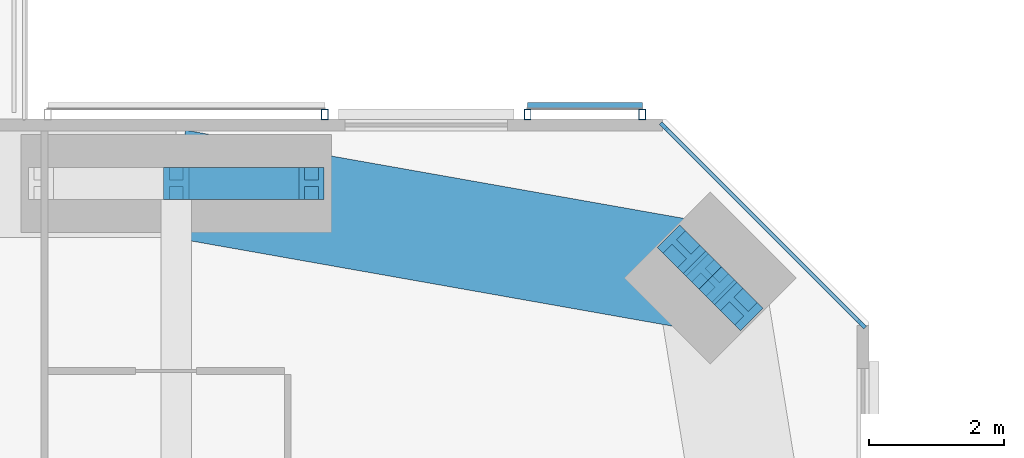
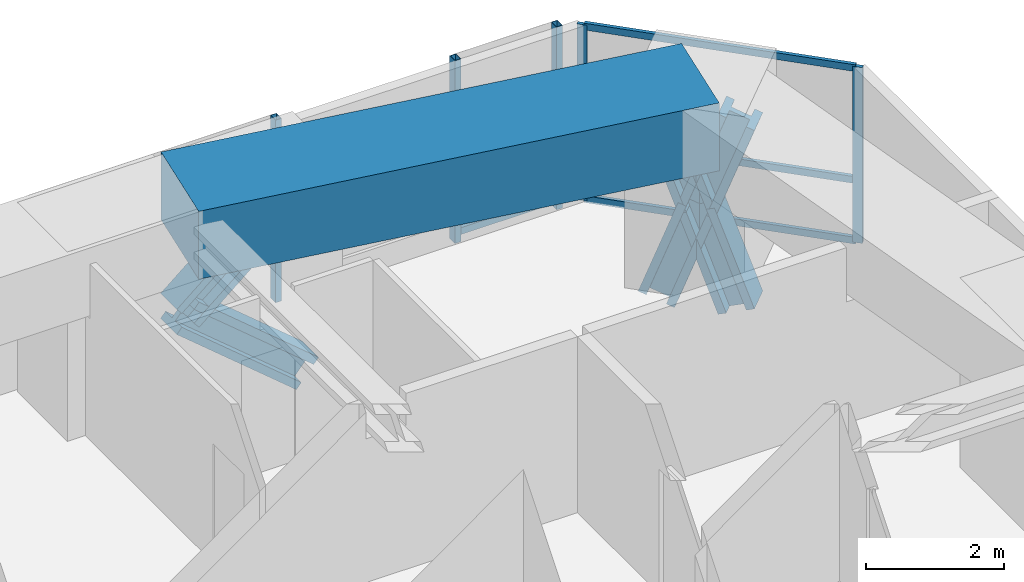
# One storey, part 13 of 22: 15 members, 1 beam, 3 elements without a shape of their own.
"""IFC4 building model written with IfcOpenShell, lengths in metres."""

import ifcopenshell
import ifcopenshell.guid

model = None  # the IFC model being written
_history = None  # IfcOwnerHistory: only IFC2X3 demands one
_inside = {}  # id of a spatial element -> (the spatial element, [elements in it])
_under = {}  # id of a project, library or spatial element -> (it, [spatial elements below it])
_declared = {}  # id of a project -> (the project, [libraries it declares])
_typed = {}  # id of a type object -> (the type object, [elements of that type])
_made_of = {}  # id of a material, layer set ... -> (it, [elements and type objects made of it])


def new_model(schema):
    """Start an empty IFC model of exactly this schema.

    Asked for "IFC4X3", IfcOpenShell would pick the latest addendum, in which some entities
    have other attributes; the version numbers below select the first issue.
    IFC2X3 requires an IfcOwnerHistory on every rooted entity: one is made here for all.
    """
    global model, _history
    if schema == "IFC4X3":
        model = ifcopenshell.file(schema_version=(4, 3, 0, 0))
    else:
        model = ifcopenshell.file(schema=schema)
    _inside.clear()
    _under.clear()
    _declared.clear()
    _typed.clear()
    _made_of.clear()
    _history = None
    if model.schema == "IFC2X3":
        org = make("IfcOrganization", Name="unknown")
        user = make(
            "IfcPersonAndOrganization",
            ThePerson=make("IfcPerson", FamilyName="unknown"),
            TheOrganization=org,
        )
        app = make(
            "IfcApplication",
            ApplicationDeveloper=org,
            Version="unknown",
            ApplicationFullName="unknown",
            ApplicationIdentifier="unknown",
        )
        _history = make(
            "IfcOwnerHistory",
            OwningUser=user,
            OwningApplication=app,
            ChangeAction="ADDED",
            CreationDate=0,
        )
    return model


def make(cls, **values):
    """One entity of the class cls with the attributes given. An attribute that is None is left unset."""
    return model.create_entity(
        cls, **{name: value for name, value in values.items() if value is not None}
    )


def rooted(cls, **values):
    """An entity with a GlobalId (a new one), such as an element, a storey or a relation."""
    return make(cls, GlobalId=ifcopenshell.guid.new(), OwnerHistory=_history, **values)


def si_unit(unit_type, name, prefix=None):
    """IfcSIUnit, for example si_unit("LENGTHUNIT", "METRE", prefix="MILLI")."""
    return make("IfcSIUnit", UnitType=unit_type, Prefix=prefix, Name=name)


def assignment(units):
    """IfcUnitAssignment: the units of a project."""
    return None if units is None else make("IfcUnitAssignment", Units=units)


def point(xyz):
    """IfcCartesianPoint."""
    return None if xyz is None else make("IfcCartesianPoint", Coordinates=xyz)


def direction(xyz):
    """IfcDirection."""
    return None if xyz is None else make("IfcDirection", DirectionRatios=xyz)


def frame(location, z_axis=None, x_axis=None):
    """IfcAxis2Placement3D, a coordinate frame: its origin and axes. An axis left out is left unset."""
    return make(
        "IfcAxis2Placement3D",
        Location=point(location),
        Axis=direction(z_axis),
        RefDirection=direction(x_axis),
    )


def frame_2d(location, x_axis=None):
    """IfcAxis2Placement2D, a coordinate frame in the plane: its origin and x axis."""
    return make(
        "IfcAxis2Placement2D", Location=point(location), RefDirection=direction(x_axis)
    )


def origin():
    """The frame at (0, 0, 0) with its axes left unset."""
    return frame((0.0, 0.0, 0.0))


def origin_2d():
    """The frame at (0, 0) in the plane with its x axis left unset."""
    return frame_2d((0.0, 0.0))


def place(relative_to, where):
    """IfcLocalPlacement: puts the frame where relative to a parent placement (None: the world)."""
    return make(
        "IfcLocalPlacement", PlacementRelTo=relative_to, RelativePlacement=where
    )


def context(
    kind, dimensions, precision=None, world=None, true_north=None, identifier=None
):
    """IfcGeometricRepresentationContext, for example the 3D "Model" context."""
    return make(
        "IfcGeometricRepresentationContext",
        ContextIdentifier=identifier,
        ContextType=kind,
        CoordinateSpaceDimension=dimensions,
        Precision=precision,
        WorldCoordinateSystem=world,
        TrueNorth=true_north,
    )


def subcontext(parent, identifier, kind, view, scale=None):
    """IfcGeometricRepresentationSubContext, for example "Body" below "Model"."""
    return make(
        "IfcGeometricRepresentationSubContext",
        ContextIdentifier=identifier,
        ContextType=kind,
        ParentContext=parent,
        TargetScale=scale,
        TargetView=view,
    )


def project(units=None, contexts=None):
    """IfcProject with its units and contexts."""
    return rooted(
        "IfcProject",
        Name="project",
        RepresentationContexts=contexts,
        UnitsInContext=assignment(units),
    )


def spatial(cls, under=None, at=None, **own):
    """A site, building, storey or space (cls), placed at a placement, below another one or the project."""
    s = rooted(cls, ObjectPlacement=at, **own)
    if under is not None:
        _under.setdefault(under.id(), (under, []))[1].append(s)
    return s


def profile(cls, at=None, kind="AREA", **sizes):
    """A parametric profile (cls). Its sizes go by their IFC names, for example OverallWidth=200.0."""
    return make(cls, ProfileType=kind, Position=at, **sizes)


def rectangle(**sizes):
    """IfcRectangleProfileDef."""
    return profile("IfcRectangleProfileDef", **sizes)


def hollow_rectangle(**sizes):
    """IfcRectangleHollowProfileDef."""
    return profile("IfcRectangleHollowProfileDef", **sizes)


def i_section(**sizes):
    """IfcIShapeProfileDef."""
    return profile("IfcIShapeProfileDef", **sizes)


def extrude(swept, where, along, depth):
    """IfcExtrudedAreaSolid: the profile swept, set in the frame where, extruded along a direction by depth."""
    return make(
        "IfcExtrudedAreaSolid",
        SweptArea=swept,
        Position=where,
        ExtrudedDirection=direction(along),
        Depth=depth,
    )


def shape(context_of_items, identifier, shape_type, items):
    """IfcShapeRepresentation: the items that make up one representation, for example the "Body"."""
    return make(
        "IfcShapeRepresentation",
        ContextOfItems=context_of_items,
        RepresentationIdentifier=identifier,
        RepresentationType=shape_type,
        Items=items,
    )


def material(Name=None, Category=None):
    """IfcMaterial."""
    return make("IfcMaterial", Name=Name, Category=Category)


def material_profile(
    of_material, cross_section, Name=None, Category=None, Priority=None
):
    """IfcMaterialProfile: a cross section and its material."""
    return make(
        "IfcMaterialProfile",
        Name=Name,
        Material=of_material,
        Profile=cross_section,
        Priority=Priority,
        Category=Category,
    )


def profile_set(profiles, Name=None, composite=None):
    """IfcMaterialProfileSet."""
    return make(
        "IfcMaterialProfileSet",
        Name=Name,
        MaterialProfiles=profiles,
        CompositeProfile=composite,
    )


def made_of(thing, what):
    """Note that an element or type object is made of a material, layer set ...; save() writes the relation."""
    if what is not None:
        _made_of.setdefault(what.id(), (what, []))[1].append(thing)
    return thing


def type_object(cls, material=None, **own):
    """A type object (cls), such as IfcWallType, which elements share."""
    return made_of(rooted(cls, **own), material)


def element(
    cls,
    number,
    at=None,
    inside=None,
    cuts=None,
    type_object=None,
    material=None,
    context=None,
    identifier="Body",
    shape_type=None,
    held_by="IfcProductDefinitionShape",
    body=None,
    shapes=None,
    **own,
):
    """One element of the class cls, such as IfcWall. Its Tag is "e" and its number.

    at: its placement. inside: the storey or other place that contains it. cuts: it is an
    opening in that element (IfcRelVoidsElement). A single representation is given by context,
    identifier, shape_type and body (its items); several are given by shapes. held_by: the class
    of the entity that holds the representations. save() writes the other relations.
    """
    e = rooted(cls, Tag="e%d" % number, ObjectPlacement=at, **own)
    if body is not None:
        shapes = [shape(context, identifier, shape_type, body)]
    if shapes is not None:
        e.Representation = make(held_by, Representations=shapes)
    if inside is not None:
        _inside.setdefault(inside.id(), (inside, []))[1].append(e)
    if cuts is not None:
        rooted(
            "IfcRelVoidsElement", RelatingBuildingElement=cuts, RelatedOpeningElement=e
        )
    if type_object is not None:
        _typed.setdefault(type_object.id(), (type_object, []))[1].append(e)
    return made_of(e, material)


def aggregate(whole, parts):
    """IfcRelAggregates: a whole, such as a stair, and the parts it consists of."""
    return rooted("IfcRelAggregates", RelatingObject=whole, RelatedObjects=parts)


def save(model, path):
    """Write the relations noted so far, then the file.

    IfcRelAggregates (storeys below a building ...), IfcRelContainedInSpatialStructure (elements
    in a storey), IfcRelDefinesByType, IfcRelAssociatesMaterial and IfcRelDeclares: one each for
    every whole, place, type object, material and project.
    """
    for whole, parts in _under.values():
        aggregate(whole, parts)
    for where, things in _inside.values():
        rooted(
            "IfcRelContainedInSpatialStructure",
            RelatedElements=things,
            RelatingStructure=where,
        )
    for kind, things in _typed.values():
        rooted("IfcRelDefinesByType", RelatedObjects=things, RelatingType=kind)
    for what, things in _made_of.values():
        rooted("IfcRelAssociatesMaterial", RelatedObjects=things, RelatingMaterial=what)
    for by, libraries in _declared.values():
        rooted("IfcRelDeclares", RelatingContext=by, RelatedDefinitions=libraries)
    model.write(path)


model = new_model("IFC4")

# Units and contexts
model_context = context("Model", 3, precision=1e-05, world=origin(), true_north=direction((0.0, 1.0)))
body_context = subcontext(model_context, "Body", "Model", "MODEL_VIEW")
ifc_project = project(units=[si_unit("LENGTHUNIT", "METRE"), si_unit("AREAUNIT", "SQUARE_METRE"), si_unit("VOLUMEUNIT", "CUBIC_METRE"), si_unit("PLANEANGLEUNIT", "RADIAN"), si_unit("MASSUNIT", "GRAM", prefix="KILO")], contexts=[model_context])

# Site, building, storey
site_placement = place(None, origin())
site = spatial("IfcSite", under=ifc_project, at=site_placement, CompositionType="ELEMENT")
building_placement = place(site_placement, origin())
building = spatial("IfcBuilding", under=site, at=building_placement, Name="Jalousie Tower", CompositionType="ELEMENT")
storey_placement = place(building_placement, frame((0.0, 0.0, 174.449951171875)))
storey = spatial("IfcBuildingStorey", under=building, at=storey_placement, Name="L47", CompositionType="ELEMENT", Elevation=174.449951171875)

# Curtain wall, members
ifc_material_1 = material(Name="Aluminium curtain wall", Category="aluminium")
curtain_wall_type_1 = type_object("IfcCurtainWallType", Name="CORNER WINDOW WALL", PredefinedType="USERDEFINED", material=ifc_material_1)
curtain_wall_1_placement = place(storey_placement, origin())
curtain_wall_1 = element("IfcCurtainWall", 1, at=curtain_wall_1_placement, inside=storey, type_object=curtain_wall_type_1, Name="Corner Window Wall L47 4", ObjectType="CORNER WINDOW WALL", PredefinedType="USERDEFINED")
ifc_material_2 = material(Name="Aluminium mullion", Category="aluminium")
ifc_material_profile_1 = material_profile(ifc_material_2, rectangle(XDim=0.06005859375, YDim=0.14990234375, at=origin_2d()), Name="MULLION 60x150")
ifc_profile_set_1 = profile_set([ifc_material_profile_1], Name="Aluminium mullion")
member_type_1 = type_object("IfcMemberType", Name="CORNER WINDOW WALL MULLION", PredefinedType="MULLION", material=ifc_profile_set_1)
member_1_placement = place(storey_placement, frame((52.891357421875, 32.969970703125, 0.0), z_axis=(0.0, 0.0, 1.0), x_axis=(-0.707106781187, -0.707106781187, 0.0)))
member_1 = element("IfcMember", 2, at=member_1_placement, type_object=member_type_1, Name="CW-C mullion 1", PredefinedType="MULLION", context=body_context, shape_type="SweptSolid", body=[
    extrude(rectangle(XDim=0.06005859375, YDim=0.14990234375, at=origin_2d()), origin(), (0.0, 0.0, 1.0), 3.110107421875),
])
member_2_placement = place(storey_placement, frame((49.969970703125, 35.891357421875, 0.0), z_axis=(0.0, 0.0, 1.0), x_axis=(-0.707106781187, -0.707106781187, 0.0)))
member_2 = element("IfcMember", 3, at=member_2_placement, type_object=member_type_1, Name="CW-C mullion 2", PredefinedType="MULLION", context=body_context, shape_type="SweptSolid", body=[
    extrude(rectangle(XDim=0.06005859375, YDim=0.14990234375, at=origin_2d()), origin(), (0.0, 0.0, 1.0), 3.110107421875),
])
ifc_material_3 = material(Name="Aluminium transom", Category="aluminium")
ifc_material_profile_2 = material_profile(ifc_material_3, rectangle(XDim=0.06005859375, YDim=0.1201171875, at=origin_2d()), Name="TRANSOM 60x120")
ifc_profile_set_2 = profile_set([ifc_material_profile_2], Name="Aluminium transom")
member_type_2 = type_object("IfcMemberType", Name="CORNER WINDOW WALL TRANSOM", PredefinedType="USERDEFINED", material=ifc_profile_set_2)
member_3_placement = place(storey_placement, frame((52.8701171875, 32.9912109375, 0.030029296875), z_axis=(-0.707106781187, 0.707106781187, 0.0), x_axis=(-0.707106781187, -0.707106781187, 0.0)))
member_3 = element("IfcMember", 4, at=member_3_placement, type_object=member_type_2, Name="CW-C transom 1.1", ObjectType="TRANSOM", PredefinedType="USERDEFINED", context=body_context, shape_type="SweptSolid", body=[
    extrude(rectangle(XDim=0.06005859375, YDim=0.1201171875, at=origin_2d()), origin(), (0.0, 0.0, 1.0), 4.0712890625),
])
member_4_placement = place(storey_placement, frame((52.8701171875, 32.9912109375, 1.10009765625), z_axis=(-0.707106781187, 0.707106781187, 0.0), x_axis=(-0.707106781187, -0.707106781187, 0.0)))
member_4 = element("IfcMember", 5, at=member_4_placement, type_object=member_type_2, Name="CW-C transom 1.2", ObjectType="TRANSOM", PredefinedType="USERDEFINED", context=body_context, shape_type="SweptSolid", body=[
    extrude(rectangle(XDim=0.06005859375, YDim=0.1201171875, at=origin_2d()), origin(), (0.0, 0.0, 1.0), 4.0712890625),
])
member_5_placement = place(storey_placement, frame((52.8701171875, 32.9912109375, 3.080078125), z_axis=(-0.707106781187, 0.707106781187, 0.0), x_axis=(-0.707106781187, -0.707106781187, 0.0)))
member_5 = element("IfcMember", 6, at=member_5_placement, type_object=member_type_2, Name="CW-C transom 1.3", ObjectType="TRANSOM", PredefinedType="USERDEFINED", context=body_context, shape_type="SweptSolid", body=[
    extrude(rectangle(XDim=0.06005859375, YDim=0.1201171875, at=origin_2d()), origin(), (0.0, 0.0, 1.0), 4.0712890625),
])
aggregate(curtain_wall_1, [member_1, member_2, member_3, member_4, member_5])

# Members
ifc_material_4 = material(Name="Steel ASTM A992 Grade 50", Category="steel")
ifc_material_profile_3 = material_profile(ifc_material_4, i_section(OverallWidth=0.472412109375, OverallDepth=0.5791015625, WebThickness=0.094970703125, FlangeThickness=0.1298828125, at=origin_2d()), Name="W14X808")
ifc_profile_set_3 = profile_set([ifc_material_profile_3], Name="Steel ASTM A992 Grade 50")
member_type_3 = type_object("IfcMemberType", Name="PERIMETER BRACE W14X808", PredefinedType="BRACE", material=ifc_profile_set_3)
member_6_placement = place(storey_placement, frame((51.07568359375, 33.227294921875, -0.599853515625), z_axis=(-0.238376334543, 0.238513569048, 0.941428701766), x_axis=(-0.707310235866, -0.706903267951, 0.0)))
element("IfcMember", 7, at=member_6_placement, inside=storey, type_object=member_type_3, Name="Perimeter brace 08 L47 part 1", PredefinedType="BRACE", context=body_context, shape_type="SweptSolid", body=[
    extrude(i_section(OverallWidth=0.472412109375, OverallDepth=0.5791015625, WebThickness=0.094970703125, FlangeThickness=0.1298828125, at=origin_2d()), origin(), (0.0, 0.0, 1.0), 1.779052734375),
])
member_7_placement = place(storey_placement, frame((50.651611328125, 33.651611328125, 1.074951171875), z_axis=(-0.238482757655, 0.238345540878, 0.941444303953), x_axis=(-0.706903267951, -0.707310235866, 0.0)))
element("IfcMember", 8, at=member_7_placement, inside=storey, type_object=member_type_3, Name="Perimeter brace 08 L47 part 2", PredefinedType="BRACE", context=body_context, shape_type="SweptSolid", body=[
    extrude(i_section(OverallWidth=0.472412109375, OverallDepth=0.5791015625, WebThickness=0.094970703125, FlangeThickness=0.1298828125, at=origin_2d()), origin(), (0.0, 0.0, 1.0), 1.779296875),
])
member_8_placement = place(storey_placement, frame((50.227294921875, 34.07568359375, -0.599853515625), z_axis=(0.238513569048, -0.238376334543, 0.941428701766), x_axis=(0.706903267951, 0.707310235866, 0.0)))
element("IfcMember", 9, at=member_8_placement, inside=storey, type_object=member_type_3, Name="Perimeter brace 08 L47 part 3", PredefinedType="BRACE", context=body_context, shape_type="SweptSolid", body=[
    extrude(i_section(OverallWidth=0.472412109375, OverallDepth=0.5791015625, WebThickness=0.094970703125, FlangeThickness=0.1298828125, at=origin_2d()), origin(), (0.0, 0.0, 1.0), 1.779052734375),
])
member_9_placement = place(storey_placement, frame((50.651611328125, 33.651611328125, 1.074951171875), z_axis=(0.238345540878, -0.238482757655, 0.941444303953), x_axis=(0.707310235866, 0.706903267951, 0.0)))
element("IfcMember", 10, at=member_9_placement, inside=storey, type_object=member_type_3, Name="Perimeter brace 08 L47 part 4", PredefinedType="BRACE", context=body_context, shape_type="SweptSolid", body=[
    extrude(i_section(OverallWidth=0.472412109375, OverallDepth=0.5791015625, WebThickness=0.094970703125, FlangeThickness=0.1298828125, at=origin_2d()), origin(), (0.0, 0.0, 1.0), 1.779296875),
])
member_10_placement = place(storey_placement, frame((42.75, 35.050048828125, 1.074951171875), z_axis=(0.766638753323, 0.0, 0.642078672674), x_axis=(0.0, 1.0, 0.0)))
element("IfcMember", 11, at=member_10_placement, inside=storey, type_object=member_type_3, Name="Perimeter brace 09 L47 part 2", PredefinedType="BRACE", context=body_context, shape_type="SweptSolid", body=[
    extrude(i_section(OverallWidth=0.472412109375, OverallDepth=0.5791015625, WebThickness=0.094970703125, FlangeThickness=0.1298828125, at=origin_2d()), origin(), (0.0, 0.0, 1.0), 2.60888671875),
])
member_11_placement = place(storey_placement, frame((44.75, 35.050048828125, -0.599853515625), z_axis=(-0.766684820047, 0.0, 0.642023665225), x_axis=(0.0, -1.0, 0.0)))
element("IfcMember", 12, at=member_11_placement, inside=storey, type_object=member_type_3, Name="Perimeter brace 09 L47 part 3", PredefinedType="BRACE", context=body_context, shape_type="SweptSolid", body=[
    extrude(i_section(OverallWidth=0.472412109375, OverallDepth=0.5791015625, WebThickness=0.094970703125, FlangeThickness=0.1298828125, at=origin_2d()), origin(), (0.0, 0.0, 1.0), 2.608642578125),
])

# Beam
ifc_material_5 = material(Name="Concrete f'c 40 MPa", Category="concrete")
ifc_material_profile_4 = material_profile(ifc_material_5, rectangle(XDim=1.60009765625, YDim=1.199951171875, at=origin_2d()), Name="RC 1600x1200")
ifc_profile_set_4 = profile_set([ifc_material_profile_4], Name="Concrete f'c 40 MPa")
beam_type = type_object("IfcBeamType", Name="RC BEAM 1600x1200", PredefinedType="BEAM", material=ifc_profile_set_4)
beam_placement = place(storey_placement, frame((50.651611328125, 33.651611328125, 2.75), z_axis=(-0.984697370688, 0.174273027632, 0.0), x_axis=(-0.174273027632, -0.984697370688, 0.0)))
element("IfcBeam", 13, at=beam_placement, inside=storey, type_object=beam_type, Name="Edge band beam 08-09 under L48", PredefinedType="BEAM", context=body_context, shape_type="SweptSolid", body=[
    extrude(rectangle(XDim=1.60009765625, YDim=1.199951171875, at=origin_2d()), origin(), (0.0, 0.0, 1.0), 8.0244140625),
])

# Curtain wall, members
ifc_material_6 = material(Name="Perforated aluminium sheet", Category="aluminium")
curtain_wall_type_2 = type_object("IfcCurtainWallType", Name="SOLAR SCREEN SS-1", PredefinedType="USERDEFINED", material=ifc_material_6)
curtain_wall_2_placement = place(storey_placement, origin())
curtain_wall_2 = element("IfcCurtainWall", 14, at=curtain_wall_2_placement, inside=storey, type_object=curtain_wall_type_2, Name="Solar screen L47", ObjectType="SOLAR SCREEN SS-1", PredefinedType="USERDEFINED")
ifc_material_7 = material(Name="Steel ASTM A500 Grade C", Category="steel")
ifc_material_profile_5 = material_profile(ifc_material_7, hollow_rectangle(XDim=0.1015625, YDim=0.15234375, WallThickness=0.00634765625, at=origin_2d()), Name="HSS6X4X1/4")
ifc_profile_set_5 = profile_set([ifc_material_profile_5], Name="Steel ASTM A500 Grade C")
member_type_4 = type_object("IfcMemberType", Name="SOLAR SCREEN SS-1 MULLION", PredefinedType="MULLION", material=ifc_profile_set_5)
member_12_placement = place(storey_placement, frame((49.648681640625, 36.0712890625, -0.119873046875), z_axis=(0.0, 0.0, 1.0), x_axis=(-1.0, 0.0, 0.0)))
member_12 = element("IfcMember", 15, at=member_12_placement, type_object=member_type_4, Name="SS1 post 1", PredefinedType="MULLION", context=body_context, shape_type="SweptSolid", body=[
    extrude(hollow_rectangle(XDim=0.1015625, YDim=0.15234375, WallThickness=0.00634765625, at=origin_2d()), origin(), (0.0, 0.0, 1.0), 3.22998046875),
])
member_13_placement = place(storey_placement, frame((47.94921875, 36.0712890625, -0.119873046875), z_axis=(0.0, 0.0, 1.0), x_axis=(-1.0, 0.0, 0.0)))
member_13 = element("IfcMember", 16, at=member_13_placement, type_object=member_type_4, Name="SS1 post 2", PredefinedType="MULLION", context=body_context, shape_type="SweptSolid", body=[
    extrude(hollow_rectangle(XDim=0.1015625, YDim=0.15234375, WallThickness=0.00634765625, at=origin_2d()), origin(), (0.0, 0.0, 1.0), 3.22998046875),
])

# Curtain wall, member
curtain_wall_3_placement = place(storey_placement, origin())
curtain_wall_3 = element("IfcCurtainWall", 17, at=curtain_wall_3_placement, inside=storey, type_object=curtain_wall_type_2, Name="Solar screen L47", ObjectType="SOLAR SCREEN SS-1", PredefinedType="USERDEFINED")
member_14_placement = place(storey_placement, frame((44.94921875, 36.0712890625, -0.119873046875), z_axis=(0.0, 0.0, 1.0), x_axis=(-1.0, 0.0, 0.0)))
member_14 = element("IfcMember", 18, at=member_14_placement, type_object=member_type_4, Name="SS1 post 1", PredefinedType="MULLION", context=body_context, shape_type="SweptSolid", body=[
    extrude(hollow_rectangle(XDim=0.1015625, YDim=0.15234375, WallThickness=0.00634765625, at=origin_2d()), origin(), (0.0, 0.0, 1.0), 3.22998046875),
])
aggregate(curtain_wall_3, [member_14])

# Member
ifc_material_8 = material(Name="Extruded aluminium screen rail", Category="aluminium")
ifc_material_profile_6 = material_profile(ifc_material_8, rectangle(XDim=0.1015625, YDim=0.1201171875, at=origin_2d()), Name="RAIL 102x120")
ifc_profile_set_6 = profile_set([ifc_material_profile_6], Name="Extruded aluminium screen rail")
member_type_5 = type_object("IfcMemberType", Name="SOLAR SCREEN SS-1 TRANSOM", PredefinedType="USERDEFINED", material=ifc_profile_set_6)
member_15_placement = place(storey_placement, frame((49.648681640625, 36.1982421875, -0.06005859375), z_axis=(-1.0, 0.0, 0.0), x_axis=(0.0, -1.0, 0.0)))
member_15 = element("IfcMember", 19, at=member_15_placement, type_object=member_type_5, Name="SS1 rail", ObjectType="TRANSOM", PredefinedType="USERDEFINED", context=body_context, shape_type="SweptSolid", body=[
    extrude(rectangle(XDim=0.1015625, YDim=0.1201171875, at=origin_2d()), origin(), (0.0, 0.0, 1.0), 1.699462890625),
])

aggregate(curtain_wall_2, [member_12, member_13, member_15])

save(model, "model.ifc")
